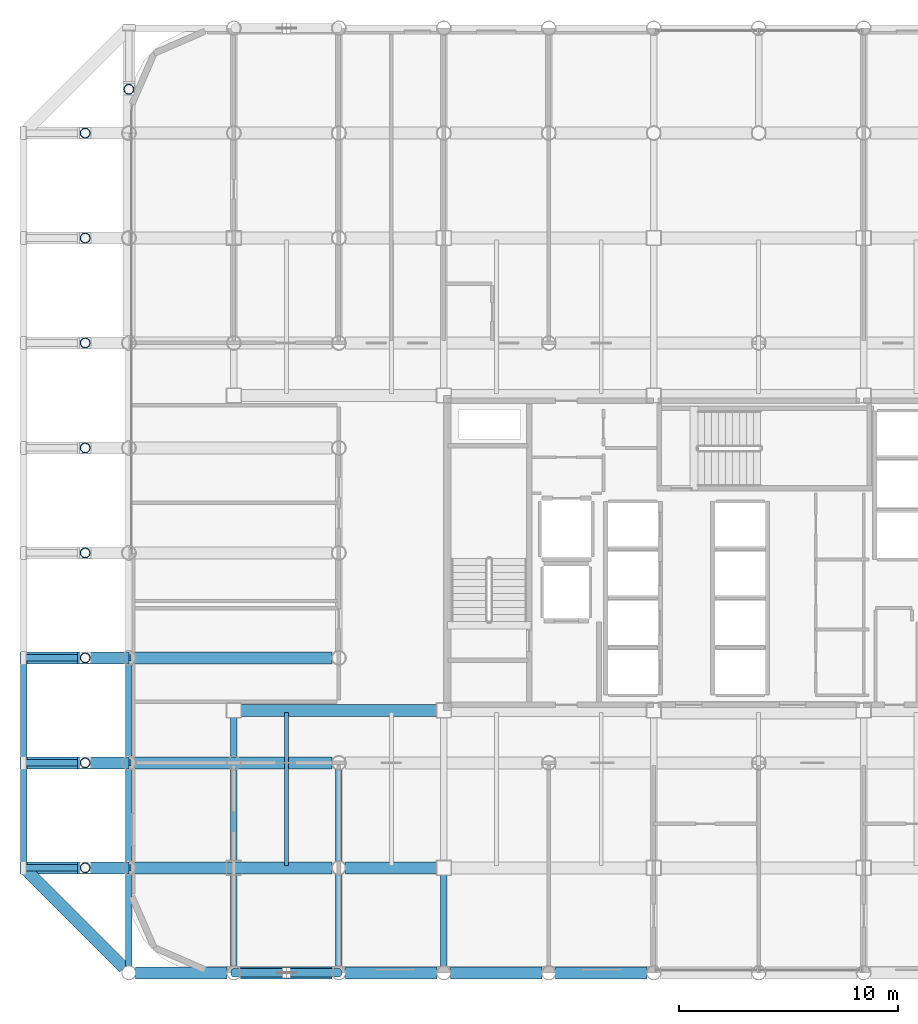
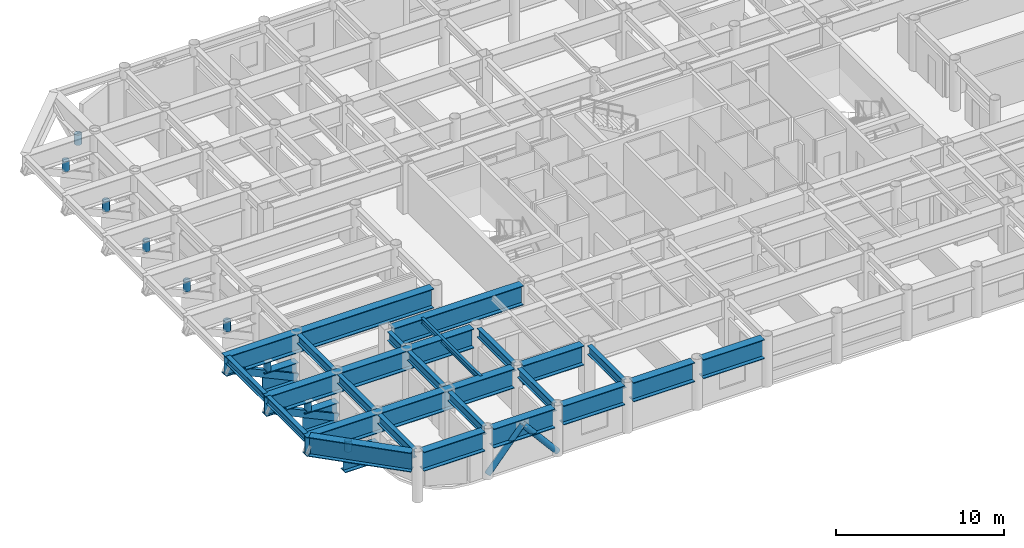
# One storey, part 2 of 23: 26 beams, 9 columns, 5 members.
"""IFC4 building model written with IfcOpenShell, lengths in metres."""

from ifc_helpers import new_model, si_unit, direction, frame, origin, origin_2d, place, context, subcontext, project, spatial, hollow_rectangle, hollow_circle, i_section, extrude, material, material_profile, profile_set, type_object, element, save


model = new_model("IFC4")

# Units and contexts
model_context = context("Model", 3, precision=1e-05, world=origin(), true_north=direction((0.0, 1.0)))
body_context = subcontext(model_context, "Body", "Model", "MODEL_VIEW")
ifc_project = project(units=[si_unit("LENGTHUNIT", "METRE"), si_unit("AREAUNIT", "SQUARE_METRE"), si_unit("VOLUMEUNIT", "CUBIC_METRE"), si_unit("PLANEANGLEUNIT", "RADIAN"), si_unit("MASSUNIT", "GRAM", prefix="KILO")], contexts=[model_context])

# Site, building, storey
site_placement = place(None, origin())
site = spatial("IfcSite", under=ifc_project, at=site_placement, CompositionType="ELEMENT")
building_placement = place(site_placement, origin())
building = spatial("IfcBuilding", under=site, at=building_placement, Name="Kallvorn Hotel Tower", CompositionType="ELEMENT")
storey_placement = place(building_placement, frame((0.0, 0.0, 121.10009765625)))
storey = spatial("IfcBuildingStorey", under=building, at=storey_placement, Name="L29", CompositionType="ELEMENT", Elevation=121.10009765625)

# Columns
ifc_material_1 = material(Name="Structural steel S355J2H", Category="steel")
ifc_material_profile_1 = material_profile(ifc_material_1, hollow_circle(Radius=0.228515625, WallThickness=0.02001953125, at=origin_2d()), Name="CHS 457x20")
ifc_profile_set_1 = profile_set([ifc_material_profile_1], Name="Structural steel S355J2H")
column_type = type_object("IfcColumnType", Name="COL_CHS_457", PredefinedType="COLUMN", material=ifc_profile_set_1)
for number, where, z_axis, x_axis, name in (
    (1, (-30.800048828125, -14.39990234375, 1.39990234375), (0.0, 0.0, 1.0), (1.0, 0.0, 0.0), "L30 Cantilever Haunch Prop Column 01"),
    (2, (-30.800048828125, -9.60009765625, 1.39990234375), (0.0, 0.0, 1.0), (1.0, 0.0, 0.0), "L30 Cantilever Haunch Prop Column 02"),
    (3, (-30.800048828125, -4.800048828125, 1.39990234375), (0.0, 0.0, 1.0), (1.0, 0.0, 0.0), "L30 Cantilever Haunch Prop Column 03"),
    (4, (-30.800048828125, 0.0, 1.39990234375), (0.0, 0.0, 1.0), (1.0, 0.0, 0.0), "L30 Cantilever Haunch Prop Column 04"),
    (5, (-30.800048828125, 4.800048828125, 1.39990234375), (0.0, 0.0, 1.0), (1.0, 0.0, 0.0), "L30 Cantilever Haunch Prop Column 05"),
    (6, (-30.800048828125, 9.60009765625, 1.39990234375), (0.0, 0.0, 1.0), (1.0, 0.0, 0.0), "L30 Cantilever Haunch Prop Column 06"),
    (7, (-30.800048828125, 14.39990234375, 1.39990234375), (0.0, 0.0, 1.0), (1.0, 0.0, 0.0), "L30 Cantilever Haunch Prop Column 07"),
    (8, (-30.800048828125, 19.199951171875, 1.39990234375), (0.0, 0.0, 1.0), (1.0, 0.0, 0.0), "L30 Cantilever Haunch Prop Column 08"),
    (9, (-28.800048828125, 21.199951171875, 1.39990234375), (0.0, 0.0, 1.0), (1.0, 0.0, 0.0), "L30 Cantilever Haunch Prop Column 09"),
):
    element("IfcColumn", number, at=place(storey_placement, frame(where, z_axis=z_axis, x_axis=x_axis)), inside=storey, type_object=column_type, Name=name, PredefinedType="COLUMN", context=body_context, shape_type="SweptSolid", body=[
        extrude(hollow_circle(Radius=0.228515625, WallThickness=0.02001953125, at=origin_2d()), origin(), (0.0, 0.0, 1.0), 0.739990234375),
    ])

# Beams
ifc_material_2 = material(Name="Structural steel S355JR", Category="steel")
ifc_material_profile_2 = material_profile(ifc_material_2, i_section(OverallWidth=0.300048828125, OverallDepth=0.550048828125, WebThickness=0.014892578125, FlangeThickness=0.029052734375, at=origin_2d()), Name="HE 550 B")
ifc_profile_set_2 = profile_set([ifc_material_profile_2], Name="Structural steel S355JR")
beam_type_1 = type_object("IfcBeamType", Name="BM_HE550B", PredefinedType="SPANDREL", material=ifc_profile_set_2)
for number, where, z_axis, x_axis, name in (
    (10, (-33.60009765625, -14.25, 3.244873046875), (0.0, 1.0, 0.0), (-1.0, 0.0, 0.0), "L30 Perimeter Spandrel 183"),
    (11, (-33.60009765625, -9.449951171875, 3.244873046875), (0.0, 1.0, 0.0), (-1.0, 0.0, 0.0), "L30 Perimeter Spandrel 184"),
):
    element("IfcBeam", number, at=place(storey_placement, frame(where, z_axis=z_axis, x_axis=x_axis)), inside=storey, type_object=beam_type_1, Name=name, PredefinedType="SPANDREL", context=body_context, shape_type="SweptSolid", body=[
        extrude(i_section(OverallWidth=0.300048828125, OverallDepth=0.550048828125, WebThickness=0.014892578125, FlangeThickness=0.029052734375, at=origin_2d()), origin(), (0.0, 0.0, 1.0), 4.5),
    ])
ifc_material_3 = material(Name="Structural steel S355JR", Category="steel")
ifc_material_profile_3 = material_profile(ifc_material_3, i_section(OverallWidth=0.300048828125, OverallDepth=0.64990234375, WebThickness=0.01611328125, FlangeThickness=0.031005859375, at=origin_2d()), Name="HE 650 B")
ifc_profile_set_3 = profile_set([ifc_material_profile_3], Name="Structural steel S355JR")
beam_type_2 = type_object("IfcBeamType", Name="BM_HE650B", PredefinedType="BEAM", material=ifc_profile_set_3)
for number, where, z_axis, x_axis, name in (
    (12, (-28.800048828125, -18.89501953125, 3.19482421875), (0.0, 1.0, 0.0), (-1.0, 0.0, 0.0), "L30 Primary Y-Girder 82"),
    (13, (-28.800048828125, -14.094970703125, 3.19482421875), (0.0, 1.0, 0.0), (-1.0, 0.0, 0.0), "L30 Primary Y-Girder 83"),
    (14, (-28.800048828125, -9.294921875, 3.19482421875), (0.0, 1.0, 0.0), (-1.0, 0.0, 0.0), "L30 Primary Y-Girder 84"),
):
    element("IfcBeam", number, at=place(storey_placement, frame(where, z_axis=z_axis, x_axis=x_axis)), inside=storey, type_object=beam_type_2, Name=name, PredefinedType="BEAM", context=body_context, shape_type="SweptSolid", body=[
        extrude(i_section(OverallWidth=0.300048828125, OverallDepth=0.64990234375, WebThickness=0.01611328125, FlangeThickness=0.031005859375, at=origin_2d()), origin(), (0.0, 0.0, 1.0), 4.18994140625),
    ])
for number, where, z_axis, x_axis, name in (
    (15, (-24.0, -18.89501953125, 3.19482421875), (0.0, 1.0, 0.0), (-1.0, 0.0, 0.0), "L30 Primary Y-Girder 90"),
    (16, (-24.0, -14.074951171875, 3.19482421875), (0.0, 1.0, 0.0), (-1.0, 0.0, 0.0), "L30 Primary Y-Girder 91"),
):
    element("IfcBeam", number, at=place(storey_placement, frame(where, z_axis=z_axis, x_axis=x_axis)), inside=storey, type_object=beam_type_2, Name=name, PredefinedType="BEAM", context=body_context, shape_type="SweptSolid", body=[
        extrude(i_section(OverallWidth=0.300048828125, OverallDepth=0.64990234375, WebThickness=0.01611328125, FlangeThickness=0.031005859375, at=origin_2d()), origin(), (0.0, 0.0, 1.0), 4.169921875),
    ])
beam_1_placement = place(storey_placement, frame((-24.0, -9.294921875, 3.19482421875), z_axis=(0.0, 1.0, 0.0), x_axis=(-1.0, 0.0, 0.0)))
element("IfcBeam", 17, at=beam_1_placement, inside=storey, type_object=beam_type_2, Name="L30 Primary Y-Girder 92", PredefinedType="BEAM", context=body_context, shape_type="SweptSolid", body=[
    extrude(i_section(OverallWidth=0.300048828125, OverallDepth=0.64990234375, WebThickness=0.01611328125, FlangeThickness=0.031005859375, at=origin_2d()), origin(), (0.0, 0.0, 1.0), 1.77001953125),
])
for number, where, z_axis, x_axis, name in (
    (18, (-19.199951171875, -18.89501953125, 3.19482421875), (0.0, 1.0, 0.0), (-1.0, 0.0, 0.0), "L30 Primary Y-Girder 97"),
    (19, (-19.199951171875, -14.094970703125, 3.19482421875), (0.0, 1.0, 0.0), (-1.0, 0.0, 0.0), "L30 Primary Y-Girder 98"),
):
    element("IfcBeam", number, at=place(storey_placement, frame(where, z_axis=z_axis, x_axis=x_axis)), inside=storey, type_object=beam_type_2, Name=name, PredefinedType="BEAM", context=body_context, shape_type="SweptSolid", body=[
        extrude(i_section(OverallWidth=0.300048828125, OverallDepth=0.64990234375, WebThickness=0.01611328125, FlangeThickness=0.031005859375, at=origin_2d()), origin(), (0.0, 0.0, 1.0), 4.18994140625),
    ])
beam_2_placement = place(storey_placement, frame((-14.39990234375, -18.89501953125, 3.19482421875), z_axis=(0.0, 1.0, 0.0), x_axis=(-1.0, 0.0, 0.0)))
element("IfcBeam", 20, at=beam_2_placement, inside=storey, type_object=beam_type_2, Name="L30 Primary Y-Girder 106", PredefinedType="BEAM", context=body_context, shape_type="SweptSolid", body=[
    extrude(i_section(OverallWidth=0.300048828125, OverallDepth=0.64990234375, WebThickness=0.01611328125, FlangeThickness=0.031005859375, at=origin_2d()), origin(), (0.0, 0.0, 1.0), 4.169921875),
])
ifc_material_4 = material(Name="Structural steel S355JR", Category="steel")
ifc_material_profile_4 = material_profile(ifc_material_4, i_section(OverallWidth=0.179931640625, OverallDepth=0.39990234375, WebThickness=0.008544921875, FlangeThickness=0.013427734375, at=origin_2d()), Name="IPE 400")
ifc_profile_set_4 = profile_set([ifc_material_profile_4], Name="Structural steel S355JR")
beam_type_3 = type_object("IfcBeamType", Name="BM_IPE400", PredefinedType="JOIST", material=ifc_profile_set_4)
beam_3_placement = place(storey_placement, frame((-21.60009765625, -14.300048828125, 3.31982421875), z_axis=(0.0, 1.0, 0.0), x_axis=(-1.0, 0.0, 0.0)))
element("IfcBeam", 21, at=beam_3_placement, inside=storey, type_object=beam_type_3, Name="L30 Secondary Composite Joist 201", PredefinedType="JOIST", context=body_context, shape_type="SweptSolid", body=[
    extrude(i_section(OverallWidth=0.179931640625, OverallDepth=0.39990234375, WebThickness=0.008544921875, FlangeThickness=0.013427734375, at=origin_2d()), origin(), (0.0, 0.0, 1.0), 7.0),
])
ifc_material_5 = material(Name="Structural steel S355JR", Category="steel")
ifc_material_profile_5 = material_profile(ifc_material_5, i_section(OverallWidth=0.550048828125, OverallDepth=1.39990234375, WebThickness=0.02490234375, FlangeThickness=0.044921875, at=origin_2d()), Name="PG 1400x550x25x45")
ifc_profile_set_5 = profile_set([ifc_material_profile_5], Name="Structural steel S355JR")
beam_type_4 = type_object("IfcBeamType", Name="BM_PG_1400", PredefinedType="BEAM", material=ifc_profile_set_5)
beam_4_placement = place(storey_placement, frame((-19.52001953125, -14.39990234375, 2.81982421875), z_axis=(-1.0, 0.0, 0.0), x_axis=(0.0, -1.0, 0.0)))
element("IfcBeam", 22, at=beam_4_placement, inside=storey, type_object=beam_type_4, Name="L30 Continuous Cantilever Transfer Girder 01", PredefinedType="BEAM", context=body_context, shape_type="SweptSolid", body=[
    extrude(i_section(OverallWidth=0.550048828125, OverallDepth=1.39990234375, WebThickness=0.02490234375, FlangeThickness=0.044921875, at=origin_2d()), origin(), (0.0, 0.0, 1.0), 14.260009765625),
])
beam_5_placement = place(storey_placement, frame((-28.800048828125, -14.39990234375, 0.719970703125), z_axis=(-1.0, 0.0, 0.0), x_axis=(0.0, -1.0, 0.0)))
element("IfcBeam", 23, at=beam_5_placement, inside=storey, type_object=beam_type_4, Name="L30 Cantilever Haunch Corbel 01", PredefinedType="BEAM", context=body_context, shape_type="SweptSolid", body=[
    extrude(i_section(OverallWidth=0.550048828125, OverallDepth=1.39990234375, WebThickness=0.02490234375, FlangeThickness=0.044921875, at=origin_2d()), origin(), (0.0, 0.0, 1.0), 2.349853515625),
])
beam_6_placement = place(storey_placement, frame((-19.52001953125, -9.60009765625, 2.81982421875), z_axis=(-1.0, 0.0, 0.0), x_axis=(0.0, -1.0, 0.0)))
element("IfcBeam", 24, at=beam_6_placement, inside=storey, type_object=beam_type_4, Name="L30 Continuous Cantilever Transfer Girder 02", PredefinedType="BEAM", context=body_context, shape_type="SweptSolid", body=[
    extrude(i_section(OverallWidth=0.550048828125, OverallDepth=1.39990234375, WebThickness=0.02490234375, FlangeThickness=0.044921875, at=origin_2d()), origin(), (0.0, 0.0, 1.0), 14.260009765625),
])
beam_7_placement = place(storey_placement, frame((-28.800048828125, -9.60009765625, 0.719970703125), z_axis=(-1.0, 0.0, 0.0), x_axis=(0.0, -1.0, 0.0)))
element("IfcBeam", 25, at=beam_7_placement, inside=storey, type_object=beam_type_4, Name="L30 Cantilever Haunch Corbel 02", PredefinedType="BEAM", context=body_context, shape_type="SweptSolid", body=[
    extrude(i_section(OverallWidth=0.550048828125, OverallDepth=1.39990234375, WebThickness=0.02490234375, FlangeThickness=0.044921875, at=origin_2d()), origin(), (0.0, 0.0, 1.0), 2.349853515625),
])
beam_8_placement = place(storey_placement, frame((-19.52001953125, -4.800048828125, 2.81982421875), z_axis=(-1.0, 0.0, 0.0), x_axis=(0.0, -1.0, 0.0)))
element("IfcBeam", 26, at=beam_8_placement, inside=storey, type_object=beam_type_4, Name="L30 Continuous Cantilever Transfer Girder 03", PredefinedType="BEAM", context=body_context, shape_type="SweptSolid", body=[
    extrude(i_section(OverallWidth=0.550048828125, OverallDepth=1.39990234375, WebThickness=0.02490234375, FlangeThickness=0.044921875, at=origin_2d()), origin(), (0.0, 0.0, 1.0), 14.260009765625),
])
beam_9_placement = place(storey_placement, frame((-28.800048828125, -4.800048828125, 0.719970703125), z_axis=(-1.0, 0.0, 0.0), x_axis=(0.0, -1.0, 0.0)))
element("IfcBeam", 27, at=beam_9_placement, inside=storey, type_object=beam_type_4, Name="L30 Cantilever Haunch Corbel 03", PredefinedType="BEAM", context=body_context, shape_type="SweptSolid", body=[
    extrude(i_section(OverallWidth=0.550048828125, OverallDepth=1.39990234375, WebThickness=0.02490234375, FlangeThickness=0.044921875, at=origin_2d()), origin(), (0.0, 0.0, 1.0), 2.349853515625),
])
for number, where, z_axis, x_axis, name in (
    (28, (-28.4951171875, -19.199951171875, 2.81982421875), (1.0, 0.0, 0.0), (0.0, 1.0, 0.0), "L30 Primary X-Girder 10"),
    (29, (-23.695068359375, -19.199951171875, 2.81982421875), (1.0, 0.0, 0.0), (0.0, 1.0, 0.0), "L30 Primary X-Girder 11"),
):
    element("IfcBeam", number, at=place(storey_placement, frame(where, z_axis=z_axis, x_axis=x_axis)), inside=storey, type_object=beam_type_4, Name=name, PredefinedType="BEAM", context=body_context, shape_type="SweptSolid", body=[
        extrude(i_section(OverallWidth=0.550048828125, OverallDepth=1.39990234375, WebThickness=0.02490234375, FlangeThickness=0.044921875, at=origin_2d()), origin(), (0.0, 0.0, 1.0), 4.190185546875),
    ])
for number, where, z_axis, x_axis, name in (
    (30, (-18.89501953125, -19.199951171875, 2.81982421875), (1.0, 0.0, 0.0), (0.0, 1.0, 0.0), "L30 Primary X-Girder 12"),
    (31, (-14.094970703125, -19.199951171875, 2.81982421875), (1.0, 0.0, 0.0), (0.0, 1.0, 0.0), "L30 Primary X-Girder 13"),
    (32, (-9.294921875, -19.199951171875, 2.81982421875), (1.0, 0.0, 0.0), (0.0, 1.0, 0.0), "L30 Primary X-Girder 14"),
):
    element("IfcBeam", number, at=place(storey_placement, frame(where, z_axis=z_axis, x_axis=x_axis)), inside=storey, type_object=beam_type_4, Name=name, PredefinedType="BEAM", context=body_context, shape_type="SweptSolid", body=[
        extrude(i_section(OverallWidth=0.550048828125, OverallDepth=1.39990234375, WebThickness=0.02490234375, FlangeThickness=0.044921875, at=origin_2d()), origin(), (0.0, 0.0, 1.0), 4.18994140625),
    ])
beam_10_placement = place(storey_placement, frame((-18.89501953125, -14.39990234375, 2.81982421875), z_axis=(1.0, 0.0, 0.0), x_axis=(0.0, 1.0, 0.0)))
element("IfcBeam", 33, at=beam_10_placement, inside=storey, type_object=beam_type_4, Name="L30 Primary X-Girder 24", PredefinedType="BEAM", context=body_context, shape_type="SweptSolid", body=[
    extrude(i_section(OverallWidth=0.550048828125, OverallDepth=1.39990234375, WebThickness=0.02490234375, FlangeThickness=0.044921875, at=origin_2d()), origin(), (0.0, 0.0, 1.0), 4.169921875),
])
beam_11_placement = place(storey_placement, frame((-23.675048828125, -7.199951171875, 2.81982421875), z_axis=(1.0, 0.0, 0.0), x_axis=(0.0, 1.0, 0.0)))
element("IfcBeam", 34, at=beam_11_placement, inside=storey, type_object=beam_type_4, Name="L30 Primary X-Girder 41", PredefinedType="BEAM", context=body_context, shape_type="SweptSolid", body=[
    extrude(i_section(OverallWidth=0.550048828125, OverallDepth=1.39990234375, WebThickness=0.02490234375, FlangeThickness=0.044921875, at=origin_2d()), origin(), (0.0, 0.0, 1.0), 8.949951171875),
])
beam_12_placement = place(storey_placement, frame((-33.493896484375, -14.506103515625, 2.81982421875), z_axis=(0.707106781187, -0.707106781187, 0.0), x_axis=(0.707106781187, 0.707106781187, 0.0)))
element("IfcBeam", 35, at=beam_12_placement, inside=storey, type_object=beam_type_4, Name="L30 Rounded Corner Tie Beam 198", PredefinedType="BEAM", context=body_context, shape_type="SweptSolid", body=[
    extrude(i_section(OverallWidth=0.550048828125, OverallDepth=1.39990234375, WebThickness=0.02490234375, FlangeThickness=0.044921875, at=origin_2d()), origin(), (0.0, 0.0, 1.0), 6.318115234375),
])

# Members
ifc_material_6 = material(Name="Structural steel S355J2H", Category="steel")
ifc_material_profile_6 = material_profile(ifc_material_6, hollow_circle(Radius=0.203125, WallThickness=0.01611328125, at=origin_2d()), Name="CHS 406.4x16")
ifc_profile_set_6 = profile_set([ifc_material_profile_6], Name="Structural steel S355J2H")
member_type_1 = type_object("IfcMemberType", Name="MBR_EXO_CHS406", PredefinedType="BRACE", material=ifc_profile_set_6)
for number, where, z_axis, x_axis, name in (
    (36, (-23.987060546875, -19.199951171875, 0.1953125), (0.646833296797, 0.0, 0.762631422218), (0.0, 1.0, 0.0), "L29 Exoskeleton K-Brace S1A"),
    (37, (-19.212890625, -19.199951171875, 0.1953125), (-0.646833296797, 0.0, 0.762631422218), (0.0, -1.0, 0.0), "L29 Exoskeleton K-Brace S1B"),
):
    element("IfcMember", number, at=place(storey_placement, frame(where, z_axis=z_axis, x_axis=x_axis)), inside=storey, type_object=member_type_1, Name=name, PredefinedType="BRACE", context=body_context, shape_type="SweptSolid", body=[
        extrude(hollow_circle(Radius=0.203125, WallThickness=0.01611328125, at=origin_2d()), origin(), (0.0, 0.0, 1.0), 3.670654296875),
    ])
ifc_material_7 = material(Name="Structural steel S355J2H", Category="steel")
ifc_material_profile_7 = material_profile(ifc_material_7, hollow_rectangle(XDim=0.300048828125, YDim=0.5, WallThickness=0.02490234375, at=origin_2d()), Name="RHS 500x300x25")
ifc_profile_set_7 = profile_set([ifc_material_profile_7], Name="Structural steel S355J2H")
member_type_2 = type_object("IfcMemberType", Name="MBR_OUTRIGGER_RHS500", PredefinedType="BRACE", material=ifc_profile_set_7)
for number, where, z_axis, x_axis, name in (
    (38, (-28.800048828125, -14.39990234375, 0.25), (-0.907630778312, 0.0, 0.419769425115), (0.0, -1.0, 0.0), "L30 Exoskeleton Cantilever Raking Strut 01"),
    (39, (-28.800048828125, -9.60009765625, 0.25), (-0.907630778312, 0.0, 0.419769425115), (0.0, -1.0, 0.0), "L30 Exoskeleton Cantilever Raking Strut 02"),
    (40, (-28.800048828125, -4.800048828125, 0.25), (-0.907630778312, 0.0, 0.419769425115), (0.0, -1.0, 0.0), "L30 Exoskeleton Cantilever Raking Strut 03"),
):
    element("IfcMember", number, at=place(storey_placement, frame(where, z_axis=z_axis, x_axis=x_axis)), inside=storey, type_object=member_type_2, Name=name, PredefinedType="BRACE", context=body_context, shape_type="SweptSolid", body=[
        extrude(hollow_rectangle(XDim=0.300048828125, YDim=0.5, WallThickness=0.02490234375, at=origin_2d()), origin(), (0.0, 0.0, 1.0), 5.28857421875),
    ])

save(model, "model.ifc")
